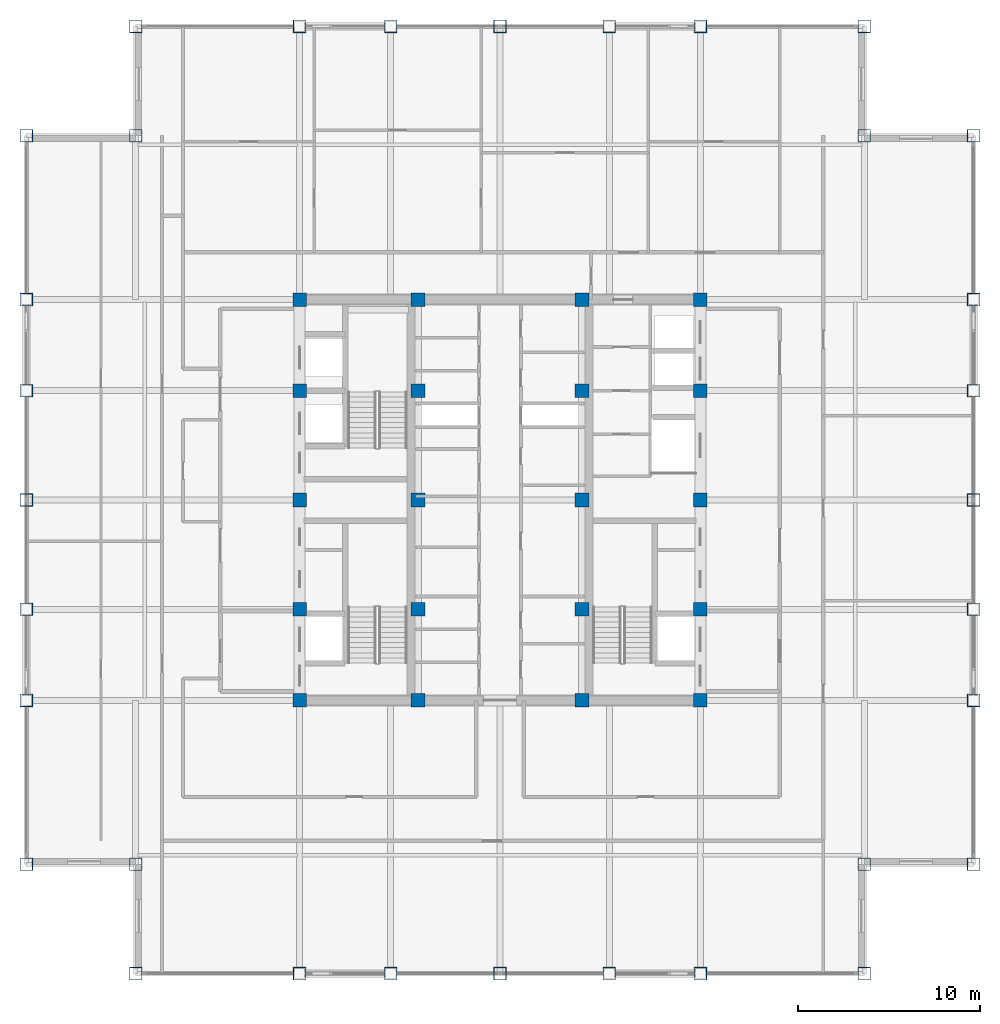
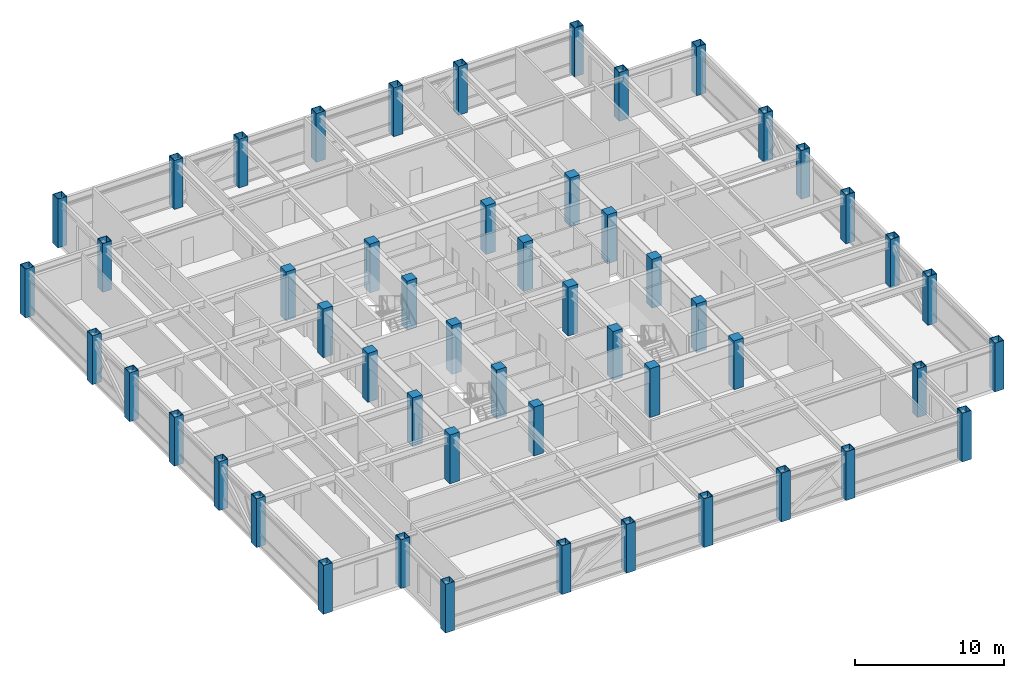
# One storey, part 1 of 29: 52 columns.
"""IFC4 building model written with IfcOpenShell, lengths in metres."""

import ifcopenshell
import ifcopenshell.guid

model = None  # the IFC model being written
_history = None  # IfcOwnerHistory: only IFC2X3 demands one
_inside = {}  # id of a spatial element -> (the spatial element, [elements in it])
_under = {}  # id of a project, library or spatial element -> (it, [spatial elements below it])
_declared = {}  # id of a project -> (the project, [libraries it declares])
_typed = {}  # id of a type object -> (the type object, [elements of that type])
_made_of = {}  # id of a material, layer set ... -> (it, [elements and type objects made of it])


def new_model(schema):
    """Start an empty IFC model of exactly this schema.

    Asked for "IFC4X3", IfcOpenShell would pick the latest addendum, in which some entities
    have other attributes; the version numbers below select the first issue.
    IFC2X3 requires an IfcOwnerHistory on every rooted entity: one is made here for all.
    """
    global model, _history
    if schema == "IFC4X3":
        model = ifcopenshell.file(schema_version=(4, 3, 0, 0))
    else:
        model = ifcopenshell.file(schema=schema)
    _inside.clear()
    _under.clear()
    _declared.clear()
    _typed.clear()
    _made_of.clear()
    _history = None
    if model.schema == "IFC2X3":
        org = make("IfcOrganization", Name="unknown")
        user = make(
            "IfcPersonAndOrganization",
            ThePerson=make("IfcPerson", FamilyName="unknown"),
            TheOrganization=org,
        )
        app = make(
            "IfcApplication",
            ApplicationDeveloper=org,
            Version="unknown",
            ApplicationFullName="unknown",
            ApplicationIdentifier="unknown",
        )
        _history = make(
            "IfcOwnerHistory",
            OwningUser=user,
            OwningApplication=app,
            ChangeAction="ADDED",
            CreationDate=0,
        )
    return model


def make(cls, **values):
    """One entity of the class cls with the attributes given. An attribute that is None is left unset."""
    return model.create_entity(
        cls, **{name: value for name, value in values.items() if value is not None}
    )


def rooted(cls, **values):
    """An entity with a GlobalId (a new one), such as an element, a storey or a relation."""
    return make(cls, GlobalId=ifcopenshell.guid.new(), OwnerHistory=_history, **values)


def si_unit(unit_type, name, prefix=None):
    """IfcSIUnit, for example si_unit("LENGTHUNIT", "METRE", prefix="MILLI")."""
    return make("IfcSIUnit", UnitType=unit_type, Prefix=prefix, Name=name)


def assignment(units):
    """IfcUnitAssignment: the units of a project."""
    return None if units is None else make("IfcUnitAssignment", Units=units)


def point(xyz):
    """IfcCartesianPoint."""
    return None if xyz is None else make("IfcCartesianPoint", Coordinates=xyz)


def direction(xyz):
    """IfcDirection."""
    return None if xyz is None else make("IfcDirection", DirectionRatios=xyz)


def frame(location, z_axis=None, x_axis=None):
    """IfcAxis2Placement3D, a coordinate frame: its origin and axes. An axis left out is left unset."""
    return make(
        "IfcAxis2Placement3D",
        Location=point(location),
        Axis=direction(z_axis),
        RefDirection=direction(x_axis),
    )


def frame_2d(location, x_axis=None):
    """IfcAxis2Placement2D, a coordinate frame in the plane: its origin and x axis."""
    return make(
        "IfcAxis2Placement2D", Location=point(location), RefDirection=direction(x_axis)
    )


def origin():
    """The frame at (0, 0, 0) with its axes left unset."""
    return frame((0.0, 0.0, 0.0))


def origin_2d():
    """The frame at (0, 0) in the plane with its x axis left unset."""
    return frame_2d((0.0, 0.0))


def place(relative_to, where):
    """IfcLocalPlacement: puts the frame where relative to a parent placement (None: the world)."""
    return make(
        "IfcLocalPlacement", PlacementRelTo=relative_to, RelativePlacement=where
    )


def context(
    kind, dimensions, precision=None, world=None, true_north=None, identifier=None
):
    """IfcGeometricRepresentationContext, for example the 3D "Model" context."""
    return make(
        "IfcGeometricRepresentationContext",
        ContextIdentifier=identifier,
        ContextType=kind,
        CoordinateSpaceDimension=dimensions,
        Precision=precision,
        WorldCoordinateSystem=world,
        TrueNorth=true_north,
    )


def subcontext(parent, identifier, kind, view, scale=None):
    """IfcGeometricRepresentationSubContext, for example "Body" below "Model"."""
    return make(
        "IfcGeometricRepresentationSubContext",
        ContextIdentifier=identifier,
        ContextType=kind,
        ParentContext=parent,
        TargetScale=scale,
        TargetView=view,
    )


def project(units=None, contexts=None):
    """IfcProject with its units and contexts."""
    return rooted(
        "IfcProject",
        Name="project",
        RepresentationContexts=contexts,
        UnitsInContext=assignment(units),
    )


def spatial(cls, under=None, at=None, **own):
    """A site, building, storey or space (cls), placed at a placement, below another one or the project."""
    s = rooted(cls, ObjectPlacement=at, **own)
    if under is not None:
        _under.setdefault(under.id(), (under, []))[1].append(s)
    return s


def profile(cls, at=None, kind="AREA", **sizes):
    """A parametric profile (cls). Its sizes go by their IFC names, for example OverallWidth=200.0."""
    return make(cls, ProfileType=kind, Position=at, **sizes)


def rectangle(**sizes):
    """IfcRectangleProfileDef."""
    return profile("IfcRectangleProfileDef", **sizes)


def hollow_rectangle(**sizes):
    """IfcRectangleHollowProfileDef."""
    return profile("IfcRectangleHollowProfileDef", **sizes)


def extrude(swept, where, along, depth):
    """IfcExtrudedAreaSolid: the profile swept, set in the frame where, extruded along a direction by depth."""
    return make(
        "IfcExtrudedAreaSolid",
        SweptArea=swept,
        Position=where,
        ExtrudedDirection=direction(along),
        Depth=depth,
    )


def shape(context_of_items, identifier, shape_type, items):
    """IfcShapeRepresentation: the items that make up one representation, for example the "Body"."""
    return make(
        "IfcShapeRepresentation",
        ContextOfItems=context_of_items,
        RepresentationIdentifier=identifier,
        RepresentationType=shape_type,
        Items=items,
    )


def source(mapping_origin, context_of_items, identifier, shape_type, items):
    """IfcRepresentationMap: a shape defined once, which mapped items show again and again."""
    return make(
        "IfcRepresentationMap",
        MappingOrigin=mapping_origin,
        MappedRepresentation=shape(context_of_items, identifier, shape_type, items),
    )


def transform(
    local_origin,
    x_axis=None,
    y_axis=None,
    z_axis=None,
    scale=None,
    scale2=None,
    scale3=None,
    uniform=True,
):
    """IfcCartesianTransformationOperator3D, or its non-uniform kind. x_axis, y_axis, z_axis: its Axis1, 2, 3."""
    if uniform:
        return make(
            "IfcCartesianTransformationOperator3D",
            Axis1=direction(x_axis),
            Axis2=direction(y_axis),
            LocalOrigin=point(local_origin),
            Scale=scale,
            Axis3=direction(z_axis),
        )
    return make(
        "IfcCartesianTransformationOperator3DnonUniform",
        Axis1=direction(x_axis),
        Axis2=direction(y_axis),
        LocalOrigin=point(local_origin),
        Scale=scale,
        Axis3=direction(z_axis),
        Scale2=scale2,
        Scale3=scale3,
    )


def mapped(mapping_source, mapping_target):
    """IfcMappedItem: shows the shape of a source again, moved by a transform."""
    return make(
        "IfcMappedItem", MappingSource=mapping_source, MappingTarget=mapping_target
    )


def material(Name=None, Category=None):
    """IfcMaterial."""
    return make("IfcMaterial", Name=Name, Category=Category)


def material_profile(
    of_material, cross_section, Name=None, Category=None, Priority=None
):
    """IfcMaterialProfile: a cross section and its material."""
    return make(
        "IfcMaterialProfile",
        Name=Name,
        Material=of_material,
        Profile=cross_section,
        Priority=Priority,
        Category=Category,
    )


def profile_set(profiles, Name=None, composite=None):
    """IfcMaterialProfileSet."""
    return make(
        "IfcMaterialProfileSet",
        Name=Name,
        MaterialProfiles=profiles,
        CompositeProfile=composite,
    )


def made_of(thing, what):
    """Note that an element or type object is made of a material, layer set ...; save() writes the relation."""
    if what is not None:
        _made_of.setdefault(what.id(), (what, []))[1].append(thing)
    return thing


def type_object(cls, material=None, **own):
    """A type object (cls), such as IfcWallType, which elements share."""
    return made_of(rooted(cls, **own), material)


def element(
    cls,
    number,
    at=None,
    inside=None,
    cuts=None,
    type_object=None,
    material=None,
    context=None,
    identifier="Body",
    shape_type=None,
    held_by="IfcProductDefinitionShape",
    body=None,
    shapes=None,
    **own,
):
    """One element of the class cls, such as IfcWall. Its Tag is "e" and its number.

    at: its placement. inside: the storey or other place that contains it. cuts: it is an
    opening in that element (IfcRelVoidsElement). A single representation is given by context,
    identifier, shape_type and body (its items); several are given by shapes. held_by: the class
    of the entity that holds the representations. save() writes the other relations.
    """
    e = rooted(cls, Tag="e%d" % number, ObjectPlacement=at, **own)
    if body is not None:
        shapes = [shape(context, identifier, shape_type, body)]
    if shapes is not None:
        e.Representation = make(held_by, Representations=shapes)
    if inside is not None:
        _inside.setdefault(inside.id(), (inside, []))[1].append(e)
    if cuts is not None:
        rooted(
            "IfcRelVoidsElement", RelatingBuildingElement=cuts, RelatedOpeningElement=e
        )
    if type_object is not None:
        _typed.setdefault(type_object.id(), (type_object, []))[1].append(e)
    return made_of(e, material)


def aggregate(whole, parts):
    """IfcRelAggregates: a whole, such as a stair, and the parts it consists of."""
    return rooted("IfcRelAggregates", RelatingObject=whole, RelatedObjects=parts)


def save(model, path):
    """Write the relations noted so far, then the file.

    IfcRelAggregates (storeys below a building ...), IfcRelContainedInSpatialStructure (elements
    in a storey), IfcRelDefinesByType, IfcRelAssociatesMaterial and IfcRelDeclares: one each for
    every whole, place, type object, material and project.
    """
    for whole, parts in _under.values():
        aggregate(whole, parts)
    for where, things in _inside.values():
        rooted(
            "IfcRelContainedInSpatialStructure",
            RelatedElements=things,
            RelatingStructure=where,
        )
    for kind, things in _typed.values():
        rooted("IfcRelDefinesByType", RelatedObjects=things, RelatingType=kind)
    for what, things in _made_of.values():
        rooted("IfcRelAssociatesMaterial", RelatedObjects=things, RelatingMaterial=what)
    for by, libraries in _declared.values():
        rooted("IfcRelDeclares", RelatingContext=by, RelatedDefinitions=libraries)
    model.write(path)


model = new_model("IFC4")

# Units and contexts
model_context = context("Model", 3, precision=1e-05, world=origin(), true_north=direction((0.0, 1.0)))
body_context = subcontext(model_context, "Body", "Model", "MODEL_VIEW")
ifc_project = project(units=[si_unit("LENGTHUNIT", "METRE"), si_unit("AREAUNIT", "SQUARE_METRE"), si_unit("VOLUMEUNIT", "CUBIC_METRE"), si_unit("PLANEANGLEUNIT", "RADIAN"), si_unit("MASSUNIT", "GRAM", prefix="KILO")], contexts=[model_context])

# Site, building, storey
site_placement = place(None, origin())
site = spatial("IfcSite", under=ifc_project, at=site_placement, CompositionType="ELEMENT")
building_placement = place(site_placement, origin())
building = spatial("IfcBuilding", under=site, at=building_placement, Name="Khorayat Bourse Tower", CompositionType="ELEMENT")
storey_placement = place(building_placement, frame((0.0, 0.0, 358.300048828125)))
storey = spatial("IfcBuildingStorey", under=building, at=storey_placement, Name="L85", CompositionType="ELEMENT", Elevation=358.300048828125)

# Columns
ifc_material_1 = material(Name="Concrete C52/65", Category="concrete")
ifc_material_profile_1 = material_profile(ifc_material_1, rectangle(XDim=0.75, YDim=0.75, at=origin_2d()), Name="RC 750x750")
ifc_profile_set_1 = profile_set([ifc_material_profile_1], Name="Concrete C52/65")
column_type_1 = type_object("IfcColumnType", Name="COL-CORE-750", PredefinedType="COLUMN", material=ifc_profile_set_1)
shared_shape_1 = source(origin(), body_context, "Body", "SweptSolid", [
    extrude(rectangle(XDim=0.75, YDim=0.75, at=origin_2d()), origin(), (0.0, 0.0, 1.0), 4.0),
])
for number, where, z_axis, x_axis, name in (
    (1, (-11.0, -11.0, 0.0), (0.0, 0.0, 1.0), (1.0, 0.0, 0.0), "L85 Column 013"),
    (2, (-11.0, -6.0, 0.0), (0.0, 0.0, 1.0), (1.0, 0.0, 0.0), "L85 Column 014"),
    (3, (-11.0, 0.0, 0.0), (0.0, 0.0, 1.0), (1.0, 0.0, 0.0), "L85 Column 015"),
    (4, (-11.0, 6.0, 0.0), (0.0, 0.0, 1.0), (1.0, 0.0, 0.0), "L85 Column 016"),
    (5, (-11.0, 11.0, 0.0), (0.0, 0.0, 1.0), (1.0, 0.0, 0.0), "L85 Column 017"),
    (6, (-4.5, -11.0, 0.0), (0.0, 0.0, 1.0), (1.0, 0.0, 0.0), "L85 Column 021"),
    (7, (-4.5, -6.0, 0.0), (0.0, 0.0, 1.0), (1.0, 0.0, 0.0), "L85 Column 022"),
    (8, (-4.5, 0.0, 0.0), (0.0, 0.0, 1.0), (1.0, 0.0, 0.0), "L85 Column 023"),
    (9, (-4.5, 6.0, 0.0), (0.0, 0.0, 1.0), (1.0, 0.0, 0.0), "L85 Column 024"),
    (10, (-4.5, 11.0, 0.0), (0.0, 0.0, 1.0), (1.0, 0.0, 0.0), "L85 Column 025"),
    (11, (4.5, -11.0, 0.0), (0.0, 0.0, 1.0), (1.0, 0.0, 0.0), "L85 Column 028"),
    (12, (4.5, -6.0, 0.0), (0.0, 0.0, 1.0), (1.0, 0.0, 0.0), "L85 Column 029"),
    (13, (4.5, 0.0, 0.0), (0.0, 0.0, 1.0), (1.0, 0.0, 0.0), "L85 Column 030"),
    (14, (4.5, 6.0, 0.0), (0.0, 0.0, 1.0), (1.0, 0.0, 0.0), "L85 Column 031"),
    (15, (4.5, 11.0, 0.0), (0.0, 0.0, 1.0), (1.0, 0.0, 0.0), "L85 Column 032"),
    (16, (11.0, -11.0, 0.0), (0.0, 0.0, 1.0), (1.0, 0.0, 0.0), "L85 Column 036"),
    (17, (11.0, -6.0, 0.0), (0.0, 0.0, 1.0), (1.0, 0.0, 0.0), "L85 Column 037"),
    (18, (11.0, 0.0, 0.0), (0.0, 0.0, 1.0), (1.0, 0.0, 0.0), "L85 Column 038"),
    (19, (11.0, 6.0, 0.0), (0.0, 0.0, 1.0), (1.0, 0.0, 0.0), "L85 Column 039"),
    (20, (11.0, 11.0, 0.0), (0.0, 0.0, 1.0), (1.0, 0.0, 0.0), "L85 Column 040"),
):
    element("IfcColumn", number, at=place(storey_placement, frame(where, z_axis=z_axis, x_axis=x_axis)), inside=storey, type_object=column_type_1, Name=name, PredefinedType="COLUMN", context=body_context, shape_type="MappedRepresentation", body=[
        mapped(shared_shape_1, transform((0.0, 0.0, 0.0), scale=1.0)),
    ])
ifc_material_2 = material(Name="Steel EN 10025-2 S355J2", Category="steel")
ifc_material_profile_2 = material_profile(ifc_material_2, hollow_rectangle(XDim=0.699951171875, YDim=0.699951171875, WallThickness=0.0400390625, at=origin_2d()), Name="BOX 700x700x40")
ifc_profile_set_2 = profile_set([ifc_material_profile_2], Name="Steel EN 10025-2 S355J2")
column_type_2 = type_object("IfcColumnType", Name="COL-TUBE-700", PredefinedType="COLUMN", material=ifc_profile_set_2)
shared_shape_2 = source(origin(), body_context, "Body", "SweptSolid", [
    extrude(hollow_rectangle(XDim=0.699951171875, YDim=0.699951171875, WallThickness=0.0400390625, at=origin_2d()), origin(), (0.0, 0.0, 1.0), 4.0),
])
for number, where, z_axis, x_axis, name in (
    (21, (-26.0, -20.0, 0.0), (0.0, 0.0, 1.0), (1.0, 0.0, 0.0), "L85 Column 001"),
    (22, (-26.0, -11.0, 0.0), (0.0, 0.0, 1.0), (1.0, 0.0, 0.0), "L85 Column 002"),
    (23, (-26.0, -6.0, 0.0), (0.0, 0.0, 1.0), (1.0, 0.0, 0.0), "L85 Column 003"),
    (24, (-26.0, 0.0, 0.0), (0.0, 0.0, 1.0), (1.0, 0.0, 0.0), "L85 Column 004"),
    (25, (-26.0, 6.0, 0.0), (0.0, 0.0, 1.0), (1.0, 0.0, 0.0), "L85 Column 005"),
    (26, (-26.0, 11.0, 0.0), (0.0, 0.0, 1.0), (1.0, 0.0, 0.0), "L85 Column 006"),
    (27, (-26.0, 20.0, 0.0), (0.0, 0.0, 1.0), (1.0, 0.0, 0.0), "L85 Column 007"),
    (28, (-20.0, -26.0, 0.0), (0.0, 0.0, 1.0), (1.0, 0.0, 0.0), "L85 Column 008"),
    (29, (-20.0, -20.0, 0.0), (0.0, 0.0, 1.0), (1.0, 0.0, 0.0), "L85 Column 009"),
    (30, (-20.0, 20.0, 0.0), (0.0, 0.0, 1.0), (1.0, 0.0, 0.0), "L85 Column 010"),
    (31, (-20.0, 26.0, 0.0), (0.0, 0.0, 1.0), (1.0, 0.0, 0.0), "L85 Column 011"),
    (32, (-11.0, -26.0, 0.0), (0.0, 0.0, 1.0), (1.0, 0.0, 0.0), "L85 Column 012"),
    (33, (-11.0, 26.0, 0.0), (0.0, 0.0, 1.0), (1.0, 0.0, 0.0), "L85 Column 018"),
    (34, (-6.0, -26.0, 0.0), (0.0, 0.0, 1.0), (1.0, 0.0, 0.0), "L85 Column 019"),
    (35, (-6.0, 26.0, 0.0), (0.0, 0.0, 1.0), (1.0, 0.0, 0.0), "L85 Column 020"),
    (36, (0.0, -26.0, 0.0), (0.0, 0.0, 1.0), (1.0, 0.0, 0.0), "L85 Column 026"),
    (37, (0.0, 26.0, 0.0), (0.0, 0.0, 1.0), (1.0, 0.0, 0.0), "L85 Column 027"),
    (38, (6.0, -26.0, 0.0), (0.0, 0.0, 1.0), (1.0, 0.0, 0.0), "L85 Column 033"),
    (39, (6.0, 26.0, 0.0), (0.0, 0.0, 1.0), (1.0, 0.0, 0.0), "L85 Column 034"),
    (40, (11.0, -26.0, 0.0), (0.0, 0.0, 1.0), (1.0, 0.0, 0.0), "L85 Column 035"),
    (41, (11.0, 26.0, 0.0), (0.0, 0.0, 1.0), (1.0, 0.0, 0.0), "L85 Column 041"),
    (42, (20.0, -26.0, 0.0), (0.0, 0.0, 1.0), (1.0, 0.0, 0.0), "L85 Column 042"),
    (43, (20.0, -20.0, 0.0), (0.0, 0.0, 1.0), (1.0, 0.0, 0.0), "L85 Column 043"),
    (44, (20.0, 20.0, 0.0), (0.0, 0.0, 1.0), (1.0, 0.0, 0.0), "L85 Column 044"),
    (45, (20.0, 26.0, 0.0), (0.0, 0.0, 1.0), (1.0, 0.0, 0.0), "L85 Column 045"),
    (46, (26.0, -20.0, 0.0), (0.0, 0.0, 1.0), (1.0, 0.0, 0.0), "L85 Column 046"),
    (47, (26.0, -11.0, 0.0), (0.0, 0.0, 1.0), (1.0, 0.0, 0.0), "L85 Column 047"),
    (48, (26.0, -6.0, 0.0), (0.0, 0.0, 1.0), (1.0, 0.0, 0.0), "L85 Column 048"),
    (49, (26.0, 0.0, 0.0), (0.0, 0.0, 1.0), (1.0, 0.0, 0.0), "L85 Column 049"),
    (50, (26.0, 6.0, 0.0), (0.0, 0.0, 1.0), (1.0, 0.0, 0.0), "L85 Column 050"),
    (51, (26.0, 11.0, 0.0), (0.0, 0.0, 1.0), (1.0, 0.0, 0.0), "L85 Column 051"),
    (52, (26.0, 20.0, 0.0), (0.0, 0.0, 1.0), (1.0, 0.0, 0.0), "L85 Column 052"),
):
    element("IfcColumn", number, at=place(storey_placement, frame(where, z_axis=z_axis, x_axis=x_axis)), inside=storey, type_object=column_type_2, Name=name, PredefinedType="COLUMN", context=body_context, shape_type="MappedRepresentation", body=[
        mapped(shared_shape_2, transform((0.0, 0.0, 0.0), scale=1.0)),
    ])

save(model, "model.ifc")
